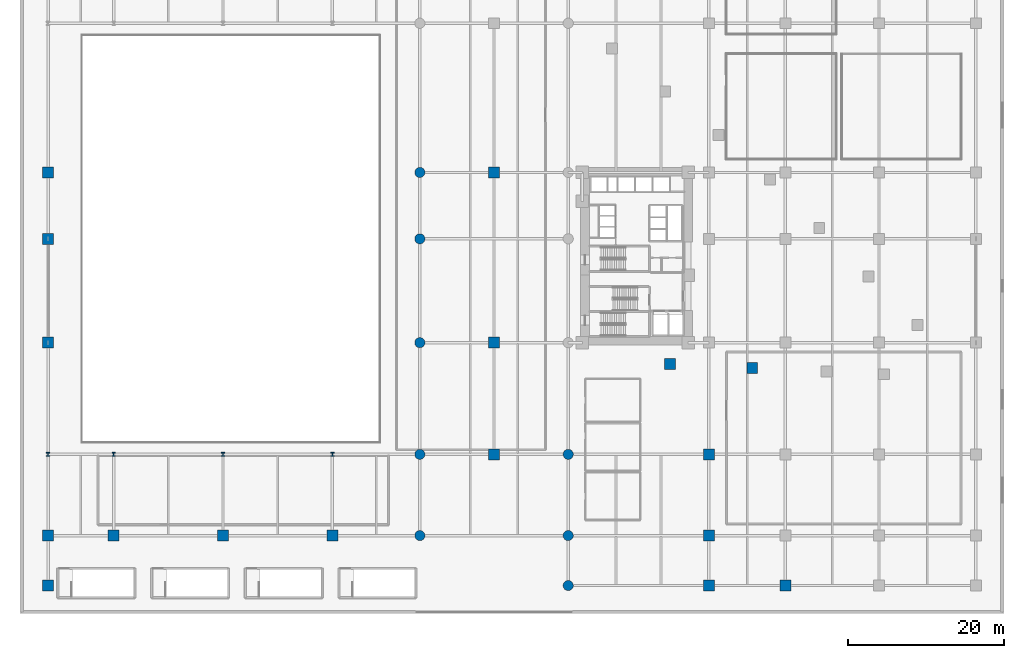
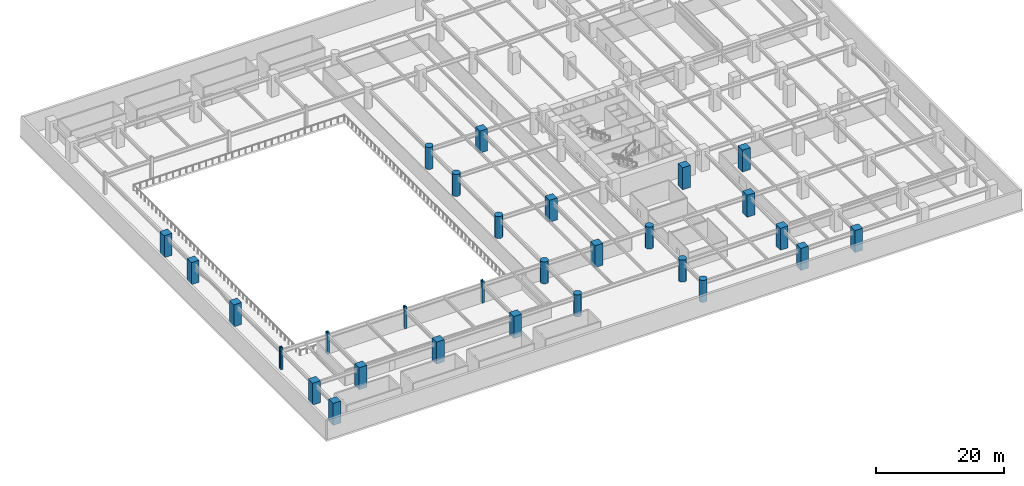
# One storey, part 1 of 20: 29 columns.
"""IFC4 building model written with IfcOpenShell, lengths in metres."""

import ifcopenshell
import ifcopenshell.guid

model = None  # the IFC model being written
_history = None  # IfcOwnerHistory: only IFC2X3 demands one
_inside = {}  # id of a spatial element -> (the spatial element, [elements in it])
_under = {}  # id of a project, library or spatial element -> (it, [spatial elements below it])
_declared = {}  # id of a project -> (the project, [libraries it declares])
_typed = {}  # id of a type object -> (the type object, [elements of that type])
_made_of = {}  # id of a material, layer set ... -> (it, [elements and type objects made of it])


def new_model(schema):
    """Start an empty IFC model of exactly this schema.

    Asked for "IFC4X3", IfcOpenShell would pick the latest addendum, in which some entities
    have other attributes; the version numbers below select the first issue.
    IFC2X3 requires an IfcOwnerHistory on every rooted entity: one is made here for all.
    """
    global model, _history
    if schema == "IFC4X3":
        model = ifcopenshell.file(schema_version=(4, 3, 0, 0))
    else:
        model = ifcopenshell.file(schema=schema)
    _inside.clear()
    _under.clear()
    _declared.clear()
    _typed.clear()
    _made_of.clear()
    _history = None
    if model.schema == "IFC2X3":
        org = make("IfcOrganization", Name="unknown")
        user = make(
            "IfcPersonAndOrganization",
            ThePerson=make("IfcPerson", FamilyName="unknown"),
            TheOrganization=org,
        )
        app = make(
            "IfcApplication",
            ApplicationDeveloper=org,
            Version="unknown",
            ApplicationFullName="unknown",
            ApplicationIdentifier="unknown",
        )
        _history = make(
            "IfcOwnerHistory",
            OwningUser=user,
            OwningApplication=app,
            ChangeAction="ADDED",
            CreationDate=0,
        )
    return model


def make(cls, **values):
    """One entity of the class cls with the attributes given. An attribute that is None is left unset."""
    return model.create_entity(
        cls, **{name: value for name, value in values.items() if value is not None}
    )


def rooted(cls, **values):
    """An entity with a GlobalId (a new one), such as an element, a storey or a relation."""
    return make(cls, GlobalId=ifcopenshell.guid.new(), OwnerHistory=_history, **values)


def si_unit(unit_type, name, prefix=None):
    """IfcSIUnit, for example si_unit("LENGTHUNIT", "METRE", prefix="MILLI")."""
    return make("IfcSIUnit", UnitType=unit_type, Prefix=prefix, Name=name)


def assignment(units):
    """IfcUnitAssignment: the units of a project."""
    return None if units is None else make("IfcUnitAssignment", Units=units)


def point(xyz):
    """IfcCartesianPoint."""
    return None if xyz is None else make("IfcCartesianPoint", Coordinates=xyz)


def direction(xyz):
    """IfcDirection."""
    return None if xyz is None else make("IfcDirection", DirectionRatios=xyz)


def frame(location, z_axis=None, x_axis=None):
    """IfcAxis2Placement3D, a coordinate frame: its origin and axes. An axis left out is left unset."""
    return make(
        "IfcAxis2Placement3D",
        Location=point(location),
        Axis=direction(z_axis),
        RefDirection=direction(x_axis),
    )


def frame_2d(location, x_axis=None):
    """IfcAxis2Placement2D, a coordinate frame in the plane: its origin and x axis."""
    return make(
        "IfcAxis2Placement2D", Location=point(location), RefDirection=direction(x_axis)
    )


def origin():
    """The frame at (0, 0, 0) with its axes left unset."""
    return frame((0.0, 0.0, 0.0))


def origin_2d():
    """The frame at (0, 0) in the plane with its x axis left unset."""
    return frame_2d((0.0, 0.0))


def place(relative_to, where):
    """IfcLocalPlacement: puts the frame where relative to a parent placement (None: the world)."""
    return make(
        "IfcLocalPlacement", PlacementRelTo=relative_to, RelativePlacement=where
    )


def context(
    kind, dimensions, precision=None, world=None, true_north=None, identifier=None
):
    """IfcGeometricRepresentationContext, for example the 3D "Model" context."""
    return make(
        "IfcGeometricRepresentationContext",
        ContextIdentifier=identifier,
        ContextType=kind,
        CoordinateSpaceDimension=dimensions,
        Precision=precision,
        WorldCoordinateSystem=world,
        TrueNorth=true_north,
    )


def subcontext(parent, identifier, kind, view, scale=None):
    """IfcGeometricRepresentationSubContext, for example "Body" below "Model"."""
    return make(
        "IfcGeometricRepresentationSubContext",
        ContextIdentifier=identifier,
        ContextType=kind,
        ParentContext=parent,
        TargetScale=scale,
        TargetView=view,
    )


def project(units=None, contexts=None):
    """IfcProject with its units and contexts."""
    return rooted(
        "IfcProject",
        Name="project",
        RepresentationContexts=contexts,
        UnitsInContext=assignment(units),
    )


def spatial(cls, under=None, at=None, **own):
    """A site, building, storey or space (cls), placed at a placement, below another one or the project."""
    s = rooted(cls, ObjectPlacement=at, **own)
    if under is not None:
        _under.setdefault(under.id(), (under, []))[1].append(s)
    return s


def profile(cls, at=None, kind="AREA", **sizes):
    """A parametric profile (cls). Its sizes go by their IFC names, for example OverallWidth=200.0."""
    return make(cls, ProfileType=kind, Position=at, **sizes)


def rectangle(**sizes):
    """IfcRectangleProfileDef."""
    return profile("IfcRectangleProfileDef", **sizes)


def circle(**sizes):
    """IfcCircleProfileDef."""
    return profile("IfcCircleProfileDef", **sizes)


def i_section(**sizes):
    """IfcIShapeProfileDef."""
    return profile("IfcIShapeProfileDef", **sizes)


def extrude(swept, where, along, depth):
    """IfcExtrudedAreaSolid: the profile swept, set in the frame where, extruded along a direction by depth."""
    return make(
        "IfcExtrudedAreaSolid",
        SweptArea=swept,
        Position=where,
        ExtrudedDirection=direction(along),
        Depth=depth,
    )


def shape(context_of_items, identifier, shape_type, items):
    """IfcShapeRepresentation: the items that make up one representation, for example the "Body"."""
    return make(
        "IfcShapeRepresentation",
        ContextOfItems=context_of_items,
        RepresentationIdentifier=identifier,
        RepresentationType=shape_type,
        Items=items,
    )


def material(Name=None, Category=None):
    """IfcMaterial."""
    return make("IfcMaterial", Name=Name, Category=Category)


def material_profile(
    of_material, cross_section, Name=None, Category=None, Priority=None
):
    """IfcMaterialProfile: a cross section and its material."""
    return make(
        "IfcMaterialProfile",
        Name=Name,
        Material=of_material,
        Profile=cross_section,
        Priority=Priority,
        Category=Category,
    )


def profile_set(profiles, Name=None, composite=None):
    """IfcMaterialProfileSet."""
    return make(
        "IfcMaterialProfileSet",
        Name=Name,
        MaterialProfiles=profiles,
        CompositeProfile=composite,
    )


def made_of(thing, what):
    """Note that an element or type object is made of a material, layer set ...; save() writes the relation."""
    if what is not None:
        _made_of.setdefault(what.id(), (what, []))[1].append(thing)
    return thing


def type_object(cls, material=None, **own):
    """A type object (cls), such as IfcWallType, which elements share."""
    return made_of(rooted(cls, **own), material)


def element(
    cls,
    number,
    at=None,
    inside=None,
    cuts=None,
    type_object=None,
    material=None,
    context=None,
    identifier="Body",
    shape_type=None,
    held_by="IfcProductDefinitionShape",
    body=None,
    shapes=None,
    **own,
):
    """One element of the class cls, such as IfcWall. Its Tag is "e" and its number.

    at: its placement. inside: the storey or other place that contains it. cuts: it is an
    opening in that element (IfcRelVoidsElement). A single representation is given by context,
    identifier, shape_type and body (its items); several are given by shapes. held_by: the class
    of the entity that holds the representations. save() writes the other relations.
    """
    e = rooted(cls, Tag="e%d" % number, ObjectPlacement=at, **own)
    if body is not None:
        shapes = [shape(context, identifier, shape_type, body)]
    if shapes is not None:
        e.Representation = make(held_by, Representations=shapes)
    if inside is not None:
        _inside.setdefault(inside.id(), (inside, []))[1].append(e)
    if cuts is not None:
        rooted(
            "IfcRelVoidsElement", RelatingBuildingElement=cuts, RelatedOpeningElement=e
        )
    if type_object is not None:
        _typed.setdefault(type_object.id(), (type_object, []))[1].append(e)
    return made_of(e, material)


def aggregate(whole, parts):
    """IfcRelAggregates: a whole, such as a stair, and the parts it consists of."""
    return rooted("IfcRelAggregates", RelatingObject=whole, RelatedObjects=parts)


def save(model, path):
    """Write the relations noted so far, then the file.

    IfcRelAggregates (storeys below a building ...), IfcRelContainedInSpatialStructure (elements
    in a storey), IfcRelDefinesByType, IfcRelAssociatesMaterial and IfcRelDeclares: one each for
    every whole, place, type object, material and project.
    """
    for whole, parts in _under.values():
        aggregate(whole, parts)
    for where, things in _inside.values():
        rooted(
            "IfcRelContainedInSpatialStructure",
            RelatedElements=things,
            RelatingStructure=where,
        )
    for kind, things in _typed.values():
        rooted("IfcRelDefinesByType", RelatedObjects=things, RelatingType=kind)
    for what, things in _made_of.values():
        rooted("IfcRelAssociatesMaterial", RelatedObjects=things, RelatingMaterial=what)
    for by, libraries in _declared.values():
        rooted("IfcRelDeclares", RelatingContext=by, RelatedDefinitions=libraries)
    model.write(path)


model = new_model("IFC4")

# Units and contexts
model_context = context("Model", 3, precision=1e-05, world=origin(), true_north=direction((0.0, 1.0)))
body_context = subcontext(model_context, "Body", "Model", "MODEL_VIEW")
ifc_project = project(units=[si_unit("LENGTHUNIT", "METRE"), si_unit("AREAUNIT", "SQUARE_METRE"), si_unit("VOLUMEUNIT", "CUBIC_METRE"), si_unit("PLANEANGLEUNIT", "RADIAN"), si_unit("MASSUNIT", "GRAM", prefix="KILO")], contexts=[model_context])

# Site, building, storey
site_placement = place(None, origin())
site = spatial("IfcSite", under=ifc_project, at=site_placement, CompositionType="ELEMENT")
building_placement = place(site_placement, origin())
building = spatial("IfcBuilding", under=site, at=building_placement, Name="Narakoshi Arena Tower", CompositionType="ELEMENT")
storey_placement = place(building_placement, frame((0.0, 0.0, 17.39990234375)))
storey = spatial("IfcBuildingStorey", under=building, at=storey_placement, Name="L04", CompositionType="ELEMENT", Elevation=17.39990234375)

# Columns
ifc_material_1 = material(Name="Concrete C60/75", Category="concrete")
ifc_material_profile_1 = material_profile(ifc_material_1, circle(Radius=0.64990234375, at=origin_2d()), Name="RCC1300")
ifc_profile_set_1 = profile_set([ifc_material_profile_1], Name="Concrete C60/75")
column_type_1 = type_object("IfcColumnType", Name="COL-CIR1300", PredefinedType="PILASTER", material=ifc_profile_set_1)
for number, where, z_axis, x_axis, name in (
    (1, (51.199951171875, 10.0, 0.0), (0.0, 0.0, 1.0), (1.0, 0.0, 0.0), "L04 Podium Column PC22"),
    (2, (51.199951171875, 20.39990234375, 0.0), (0.0, 0.0, 1.0), (1.0, 0.0, 0.0), "L04 Podium Column PC23"),
    (3, (51.199951171875, 34.699951171875, 0.0), (0.0, 0.0, 1.0), (1.0, 0.0, 0.0), "L04 Podium Column PC24"),
    (4, (51.199951171875, 48.0, 0.0), (0.0, 0.0, 1.0), (1.0, 0.0, 0.0), "L04 Podium Column PC25"),
    (5, (51.199951171875, 56.5, 0.0), (0.0, 0.0, 1.0), (1.0, 0.0, 0.0), "L04 Podium Column PC26"),
    (6, (70.199951171875, 3.60009765625, 0.0), (0.0, 0.0, 1.0), (1.0, 0.0, 0.0), "L04 Podium Column PC33"),
    (7, (70.199951171875, 10.0, 0.0), (0.0, 0.0, 1.0), (1.0, 0.0, 0.0), "L04 Podium Column PC34"),
    (8, (70.199951171875, 20.39990234375, 0.0), (0.0, 0.0, 1.0), (1.0, 0.0, 0.0), "L04 Podium Column PC35"),
):
    element("IfcColumn", number, at=place(storey_placement, frame(where, z_axis=z_axis, x_axis=x_axis)), inside=storey, type_object=column_type_1, Name=name, PredefinedType="PILASTER", context=body_context, shape_type="SweptSolid", body=[
        extrude(circle(Radius=0.64990234375, at=origin_2d()), origin(), (0.0, 0.0, 1.0), 4.2001953125),
    ])
ifc_material_profile_2 = material_profile(ifc_material_1, rectangle(XDim=1.39990234375, YDim=1.39990234375, at=origin_2d()), Name="RC1400x1400")
ifc_profile_set_2 = profile_set([ifc_material_profile_2], Name="Concrete C60/75")
column_type_2 = type_object("IfcColumnType", Name="COL-RC1400", PredefinedType="COLUMN", material=ifc_profile_set_2)
for number, where, z_axis, x_axis, name in (
    (9, (3.60009765625, 3.60009765625, 0.0), (0.0, 0.0, 1.0), (1.0, 0.0, 0.0), "L04 Podium Column PC01"),
    (10, (3.60009765625, 10.0, 0.0), (0.0, 0.0, 1.0), (1.0, 0.0, 0.0), "L04 Podium Column PC02"),
    (11, (3.60009765625, 34.699951171875, 0.0), (0.0, 0.0, 1.0), (1.0, 0.0, 0.0), "L04 Podium Column PC04"),
    (12, (3.60009765625, 48.0, 0.0), (0.0, 0.0, 1.0), (1.0, 0.0, 0.0), "L04 Podium Column PC05"),
    (13, (3.60009765625, 56.5, 0.0), (0.0, 0.0, 1.0), (1.0, 0.0, 0.0), "L04 Podium Column PC06"),
    (14, (12.0, 10.0, 0.0), (0.0, 0.0, 1.0), (1.0, 0.0, 0.0), "L04 Podium Column PC10"),
    (15, (26.0, 10.0, 0.0), (0.0, 0.0, 1.0), (1.0, 0.0, 0.0), "L04 Podium Column PC14"),
    (16, (40.0, 10.0, 0.0), (0.0, 0.0, 1.0), (1.0, 0.0, 0.0), "L04 Podium Column PC18"),
    (17, (60.699951171875, 20.39990234375, 0.0), (0.0, 0.0, 1.0), (1.0, 0.0, 0.0), "L04 Podium Column PC29"),
    (18, (60.699951171875, 34.699951171875, 0.0), (0.0, 0.0, 1.0), (1.0, 0.0, 0.0), "L04 Podium Column PC30"),
    (19, (60.699951171875, 56.5, 0.0), (0.0, 0.0, 1.0), (1.0, 0.0, 0.0), "L04 Podium Column PC31"),
    (20, (88.199951171875, 3.60009765625, 0.0), (0.0, 0.0, 1.0), (1.0, 0.0, 0.0), "L04 Podium Column PC42"),
    (21, (88.199951171875, 10.0, 0.0), (0.0, 0.0, 1.0), (1.0, 0.0, 0.0), "L04 Podium Column PC43"),
    (22, (88.199951171875, 20.39990234375, 0.0), (0.0, 0.0, 1.0), (1.0, 0.0, 0.0), "L04 Podium Column PC44"),
    (23, (98.0, 3.60009765625, 0.0), (0.0, 0.0, 1.0), (1.0, 0.0, 0.0), "L04 Podium Column PC51"),
    (24, (83.2119140625, 31.979248046875, 0.0), (0.0, 0.0, 1.0), (1.0, 0.0, 0.0), "L04 Tower Plumb Pier B1P01"),
    (25, (93.760009765625, 31.472412109375, 0.0), (0.0, 0.0, 1.0), (1.0, 0.0, 0.0), "L04 Tower Plumb Pier B1P02"),
):
    element("IfcColumn", number, at=place(storey_placement, frame(where, z_axis=z_axis, x_axis=x_axis)), inside=storey, type_object=column_type_2, Name=name, PredefinedType="COLUMN", context=body_context, shape_type="SweptSolid", body=[
        extrude(rectangle(XDim=1.39990234375, YDim=1.39990234375, at=origin_2d()), origin(), (0.0, 0.0, 1.0), 4.2001953125),
    ])
ifc_material_2 = material(Name="Structural steel S355J2", Category="steel")
ifc_material_profile_3 = material_profile(ifc_material_2, i_section(OverallWidth=0.43701171875, OverallDepth=0.513916015625, WebThickness=0.060546875, FlangeThickness=0.096923828125, FilletRadius=0.014892578125, at=origin_2d()), Name="HD400x818")
ifc_profile_set_3 = profile_set([ifc_material_profile_3], Name="Structural steel S355J2")
column_type_3 = type_object("IfcColumnType", Name="COL-STL818", PredefinedType="COLUMN", material=ifc_profile_set_3)
for number, where, z_axis, x_axis, name in (
    (26, (3.60009765625, 20.39990234375, 0.0), (0.0, 0.0, 1.0), (1.0, 0.0, 0.0), "L04 Podium Column PC03"),
    (27, (12.0, 20.39990234375, 0.0), (0.0, 0.0, 1.0), (1.0, 0.0, 0.0), "L04 Podium Column PC11"),
    (28, (26.0, 20.39990234375, 0.0), (0.0, 0.0, 1.0), (1.0, 0.0, 0.0), "L04 Podium Column PC15"),
    (29, (40.0, 20.39990234375, 0.0), (0.0, 0.0, 1.0), (1.0, 0.0, 0.0), "L04 Podium Column PC19"),
):
    element("IfcColumn", number, at=place(storey_placement, frame(where, z_axis=z_axis, x_axis=x_axis)), inside=storey, type_object=column_type_3, Name=name, PredefinedType="COLUMN", context=body_context, shape_type="SweptSolid", body=[
        extrude(i_section(OverallWidth=0.43701171875, OverallDepth=0.513916015625, WebThickness=0.060546875, FlangeThickness=0.096923828125, FilletRadius=0.014892578125, at=origin_2d()), origin(), (0.0, 0.0, 1.0), 4.2001953125),
    ])

save(model, "model.ifc")
